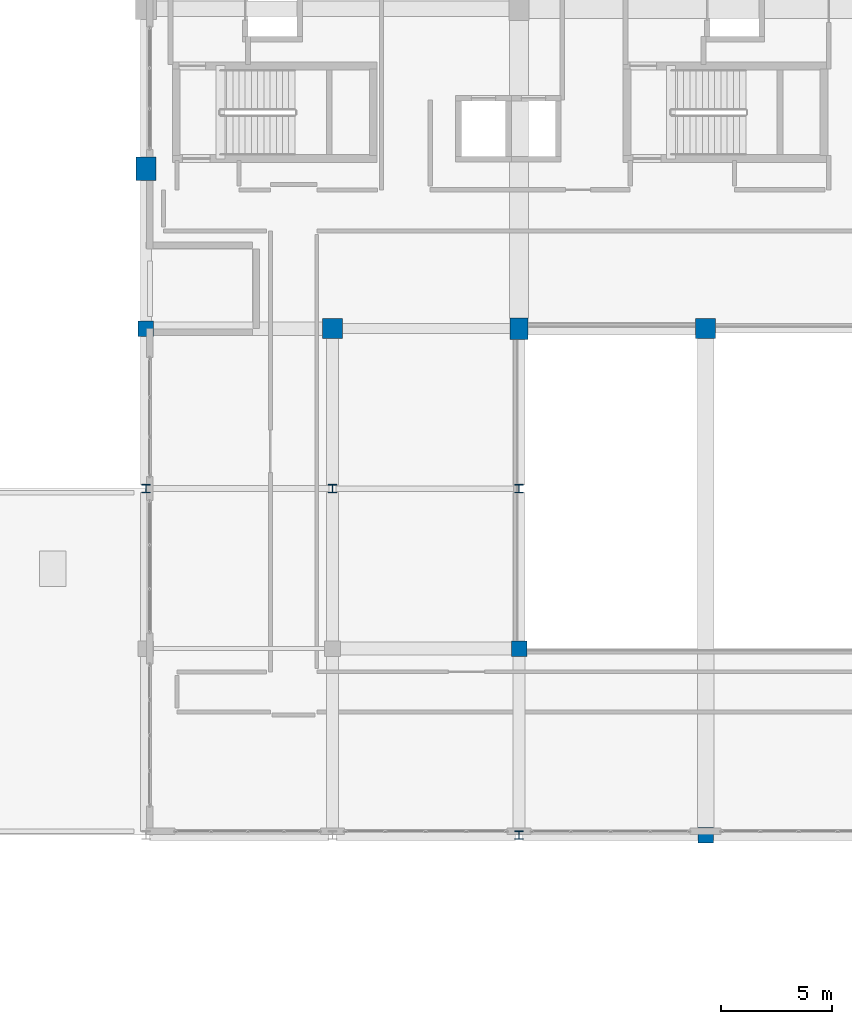
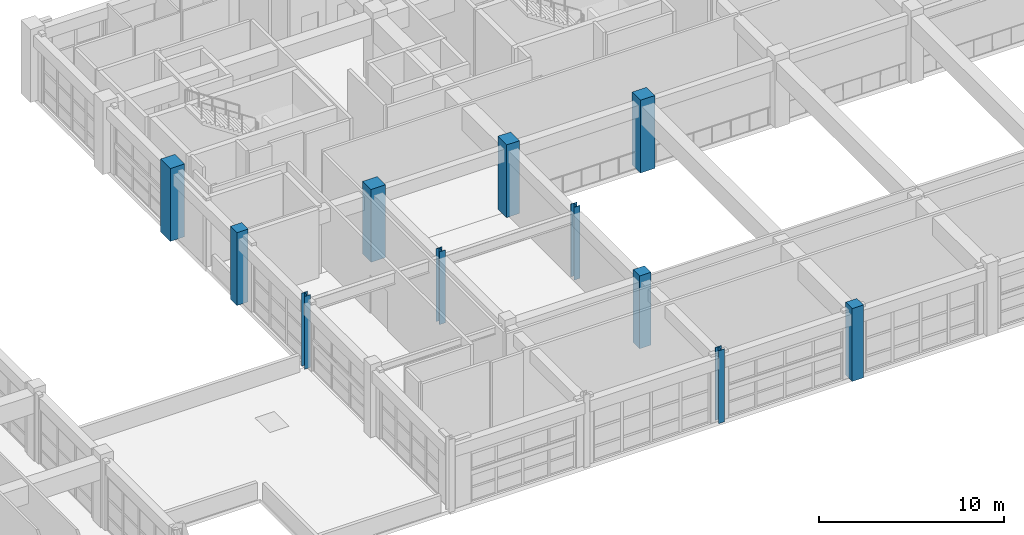
# One storey, part 7 of 123: 11 columns.
"""IFC4 building model written with IfcOpenShell, lengths in metres."""

from ifc_helpers import new_model, si_unit, direction, frame, origin, origin_2d, place, context, subcontext, project, spatial, rectangle, i_section, extrude, material, material_profile, profile_set, type_object, element, save


model = new_model("IFC4")

# Units and contexts
model_context = context("Model", 3, precision=1e-05, world=origin(), true_north=direction((0.0, 1.0)))
body_context = subcontext(model_context, "Body", "Model", "MODEL_VIEW")
ifc_project = project(units=[si_unit("LENGTHUNIT", "METRE"), si_unit("AREAUNIT", "SQUARE_METRE"), si_unit("VOLUMEUNIT", "CUBIC_METRE"), si_unit("PLANEANGLEUNIT", "RADIAN"), si_unit("MASSUNIT", "GRAM", prefix="KILO")], contexts=[model_context])

# Site, building, storey
site_placement = place(None, origin())
site = spatial("IfcSite", under=ifc_project, at=site_placement, CompositionType="ELEMENT")
building_placement = place(site_placement, origin())
building = spatial("IfcBuilding", under=site, at=building_placement, Name="Quendrovan Civic Courthouse", CompositionType="ELEMENT")
storey_placement = place(building_placement, frame((0.0, 0.0, 5.39990234375)))
storey = spatial("IfcBuildingStorey", under=building, at=storey_placement, Name="L02", CompositionType="ELEMENT", Elevation=5.39990234375)

# Columns
ifc_material_1 = material(Name="Concrete C45/55", Category="concrete")
ifc_material_profile_1 = material_profile(ifc_material_1, rectangle(XDim=0.800048828125, YDim=0.949951171875, at=origin_2d()), Name="RC-COL-800x950")
ifc_profile_set_1 = profile_set([ifc_material_profile_1], Name="Concrete C45/55")
column_type_1 = type_object("IfcColumnType", Name="COL-RC-800x950", PredefinedType="COLUMN", material=ifc_profile_set_1)
column_1_placement = place(storey_placement, frame((50.39990234375, 87.60009765625, 0.0), z_axis=(0.0, 0.0, 1.0), x_axis=(1.0, 0.0, 0.0)))
element("IfcColumn", 1, at=column_1_placement, inside=storey, type_object=column_type_1, Name="L02 Column 7-M", PredefinedType="COLUMN", context=body_context, shape_type="SweptSolid", body=[
    extrude(rectangle(XDim=0.800048828125, YDim=0.949951171875, at=origin_2d()), origin(), (0.0, 0.0, 1.0), 4.800048828125),
])
ifc_material_profile_2 = material_profile(ifc_material_1, rectangle(XDim=0.89990234375, YDim=1.050048828125, at=origin_2d()), Name="RC-COL-900x1050")
ifc_profile_set_2 = profile_set([ifc_material_profile_2], Name="Concrete C45/55")
column_type_2 = type_object("IfcColumnType", Name="COL-RC-900x1050", PredefinedType="COLUMN", material=ifc_profile_set_2)
column_2_placement = place(storey_placement, frame((33.60009765625, 94.800048828125, 0.0), z_axis=(0.0, 0.0, 1.0), x_axis=(1.0, 0.0, 0.0)))
element("IfcColumn", 2, at=column_2_placement, inside=storey, type_object=column_type_2, Name="L02 Column 5-N", PredefinedType="COLUMN", context=body_context, shape_type="SweptSolid", body=[
    extrude(rectangle(XDim=0.89990234375, YDim=1.050048828125, at=origin_2d()), origin(), (0.0, 0.0, 1.0), 4.800048828125),
])
ifc_material_profile_3 = material_profile(ifc_material_1, rectangle(XDim=0.699951171875, YDim=0.699951171875, at=origin_2d()), Name="RC-COL-700x700")
ifc_profile_set_3 = profile_set([ifc_material_profile_3], Name="Concrete C45/55")
column_type_3 = type_object("IfcColumnType", Name="COL-RC700", PredefinedType="COLUMN", material=ifc_profile_set_3)
for number, where, z_axis, x_axis, name in (
    (3, (33.60009765625, 87.60009765625, 0.0), (0.0, 0.0, 1.0), (1.0, 0.0, 0.0), "L02 Column 5-M"),
    (4, (50.39990234375, 73.199951171875, 0.0), (0.0, 0.0, 1.0), (1.0, 0.0, 0.0), "L02 Column 7-K"),
    (5, (58.800048828125, 64.800048828125, 0.0), (0.0, 0.0, 1.0), (1.0, 0.0, 0.0), "L02 Column 8-J"),
):
    element("IfcColumn", number, at=place(storey_placement, frame(where, z_axis=z_axis, x_axis=x_axis)), inside=storey, type_object=column_type_3, Name=name, PredefinedType="COLUMN", context=body_context, shape_type="SweptSolid", body=[
        extrude(rectangle(XDim=0.699951171875, YDim=0.699951171875, at=origin_2d()), origin(), (0.0, 0.0, 1.0), 4.800048828125),
    ])
ifc_material_profile_4 = material_profile(ifc_material_1, rectangle(XDim=0.89990234375, YDim=0.89990234375, at=origin_2d()), Name="RC-COL-900x900")
ifc_profile_set_4 = profile_set([ifc_material_profile_4], Name="Concrete C45/55")
column_type_4 = type_object("IfcColumnType", Name="COL-RC900", PredefinedType="COLUMN", material=ifc_profile_set_4)
for number, where, z_axis, x_axis, name in (
    (6, (42.0, 87.60009765625, 0.0), (0.0, 0.0, 1.0), (1.0, 0.0, 0.0), "L02 Column 6-M"),
    (7, (58.800048828125, 87.60009765625, 0.0), (0.0, 0.0, 1.0), (1.0, 0.0, 0.0), "L02 Column 8-M"),
):
    element("IfcColumn", number, at=place(storey_placement, frame(where, z_axis=z_axis, x_axis=x_axis)), inside=storey, type_object=column_type_4, Name=name, PredefinedType="COLUMN", context=body_context, shape_type="SweptSolid", body=[
        extrude(rectangle(XDim=0.89990234375, YDim=0.89990234375, at=origin_2d()), origin(), (0.0, 0.0, 1.0), 4.800048828125),
    ])
ifc_material_2 = material(Name="Steel ASTM A992 Grade 50", Category="steel")
ifc_material_profile_5 = material_profile(ifc_material_2, i_section(OverallWidth=0.3740234375, OverallDepth=0.3720703125, WebThickness=0.016357421875, FlangeThickness=0.026123046875, at=origin_2d()), Name="W14X132")
ifc_profile_set_5 = profile_set([ifc_material_profile_5], Name="Steel ASTM A992 Grade 50")
column_type_5 = type_object("IfcColumnType", Name="COL-STL-W14X132", PredefinedType="COLUMN", material=ifc_profile_set_5)
for number, where, z_axis, x_axis, name in (
    (8, (33.60009765625, 80.39990234375, 0.0), (0.0, 0.0, 1.0), (1.0, 0.0, 0.0), "L02 Column 5-L"),
    (9, (42.0, 80.39990234375, 0.0), (0.0, 0.0, 1.0), (1.0, 0.0, 0.0), "L02 Column 6-L"),
    (10, (50.39990234375, 64.800048828125, 0.0), (0.0, 0.0, 1.0), (1.0, 0.0, 0.0), "L02 Column 7-J"),
    (11, (50.39990234375, 80.39990234375, 0.0), (0.0, 0.0, 1.0), (1.0, 0.0, 0.0), "L02 Column 7-L"),
):
    element("IfcColumn", number, at=place(storey_placement, frame(where, z_axis=z_axis, x_axis=x_axis)), inside=storey, type_object=column_type_5, Name=name, PredefinedType="COLUMN", context=body_context, shape_type="SweptSolid", body=[
        extrude(i_section(OverallWidth=0.3740234375, OverallDepth=0.3720703125, WebThickness=0.016357421875, FlangeThickness=0.026123046875, at=origin_2d()), origin(), (0.0, 0.0, 1.0), 4.800048828125),
    ])

save(model, "model.ifc")
